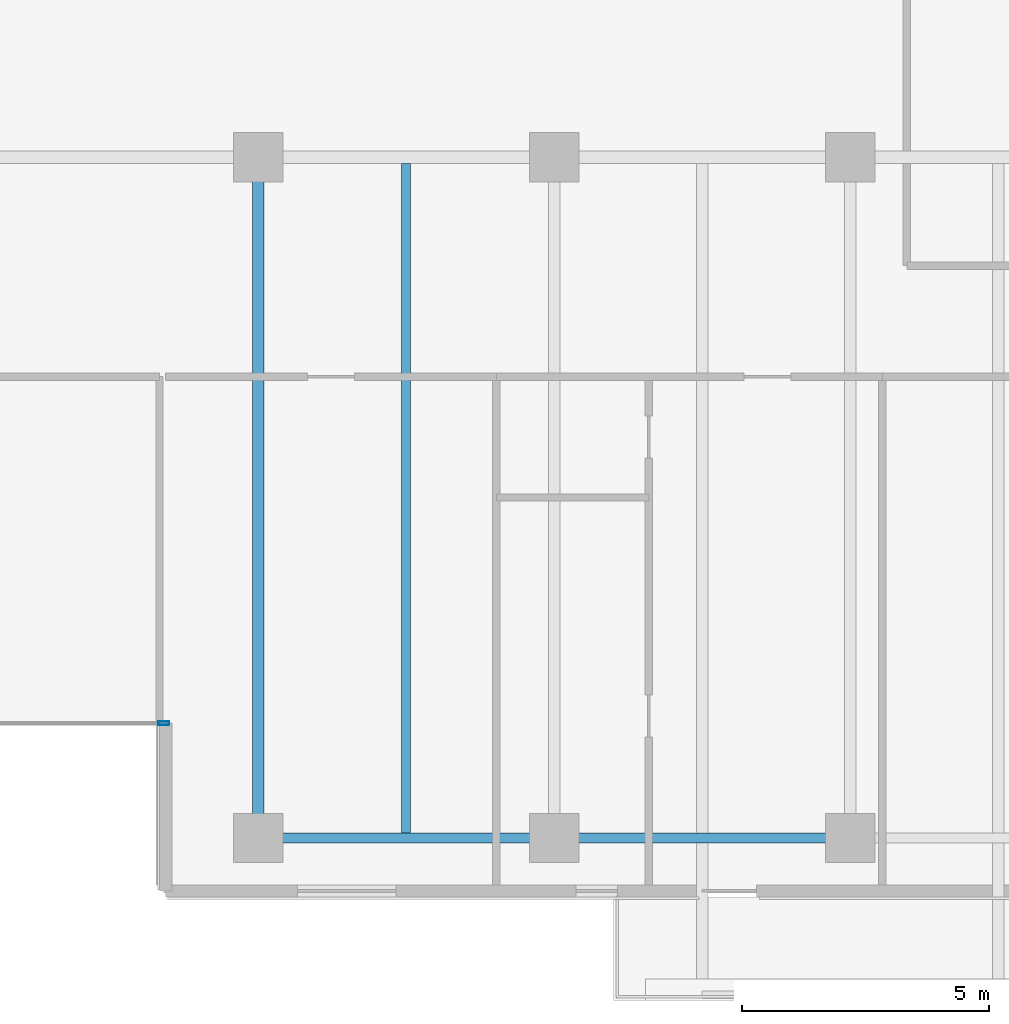
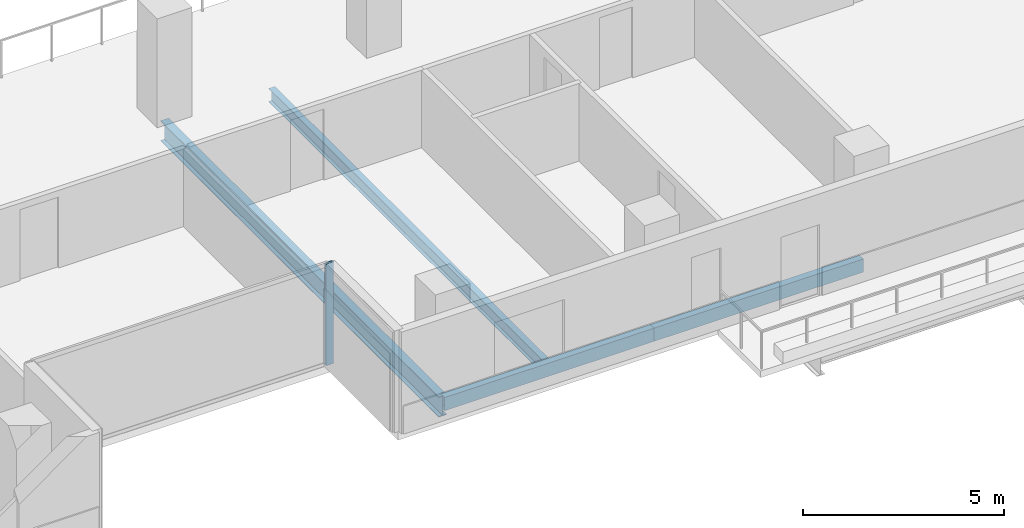
# One storey, part 4 of 23: 4 beams, 1 member, 1 element without a shape of its own.
"""IFC4 building model written with IfcOpenShell, lengths in metres."""

from ifc_helpers import new_model, si_unit, direction, frame, origin, origin_2d, place, context, subcontext, project, spatial, hollow_rectangle, i_section, extrude, material, layer, layer_set, material_profile, profile_set, type_object, element, aggregate, save


model = new_model("IFC4")

# Units and contexts
model_context = context("Model", 3, precision=1e-05, world=origin(), true_north=direction((0.0, 1.0)))
body_context = subcontext(model_context, "Body", "Model", "MODEL_VIEW")
ifc_project = project(units=[si_unit("LENGTHUNIT", "METRE"), si_unit("AREAUNIT", "SQUARE_METRE"), si_unit("VOLUMEUNIT", "CUBIC_METRE"), si_unit("PLANEANGLEUNIT", "RADIAN"), si_unit("MASSUNIT", "GRAM", prefix="KILO")], contexts=[model_context])

# Site, building, storey
site_placement = place(None, origin())
site = spatial("IfcSite", under=ifc_project, at=site_placement, CompositionType="ELEMENT")
building_placement = place(site_placement, origin())
building = spatial("IfcBuilding", under=site, at=building_placement, Name="Tanjung Sevakor Pilgrim Tower", CompositionType="ELEMENT")
storey_placement = place(building_placement, frame((0.0, 0.0, 88.77001953125)))
storey = spatial("IfcBuildingStorey", under=building, at=storey_placement, Name="L24", CompositionType="ELEMENT", Elevation=88.77001953125)

# Beams
ifc_material_1 = material(Name="Steel S355J2", Category="steel")
ifc_material_profile_1 = material_profile(ifc_material_1, i_section(OverallWidth=0.230224609375, OverallDepth=0.6171875, WebThickness=0.01318359375, FlangeThickness=0.022216796875, FilletRadius=0.0126953125, at=origin_2d()))
ifc_profile_set_1 = profile_set([ifc_material_profile_1], Name="Steel S355J2")
beam_type_1 = type_object("IfcBeamType", Name="BM-B-G3-UB_610x229x140", PredefinedType="BEAM", material=ifc_profile_set_1)
beam_1_placement = place(storey_placement, frame((54.0, 10.800048828125, -0.528564453125), z_axis=(0.0, 1.0, 0.0), x_axis=(-1.0, 0.0, 0.0)))
element("IfcBeam", 1, at=beam_1_placement, inside=storey, type_object=beam_type_1, Name="L24 MAIN Girder 012", PredefinedType="BEAM", context=body_context, shape_type="SweptSolid", body=[
    extrude(i_section(OverallWidth=0.230224609375, OverallDepth=0.6171875, WebThickness=0.01318359375, FlangeThickness=0.022216796875, FilletRadius=0.0126953125, at=origin_2d()), origin(), (0.0, 0.0, 1.0), 13.800048828125),
])
ifc_material_2 = material(Name="Steel S355J2", Category="steel")
ifc_material_profile_2 = material_profile(ifc_material_2, i_section(OverallWidth=0.1787109375, OverallDepth=0.409423828125, WebThickness=0.0087890625, FlangeThickness=0.014404296875, FilletRadius=0.01025390625, at=origin_2d()))
ifc_profile_set_2 = profile_set([ifc_material_profile_2], Name="Steel S355J2")
beam_type_2 = type_object("IfcBeamType", Name="BM-B-J3-UB_406x178x67", PredefinedType="JOIST", material=ifc_profile_set_2)
beam_2_placement = place(storey_placement, frame((57.0, 10.89990234375, -0.4248046875), z_axis=(0.0, 1.0, 0.0), x_axis=(-1.0, 0.0, 0.0)))
element("IfcBeam", 2, at=beam_2_placement, inside=storey, type_object=beam_type_2, Name="L24 MAIN Joist 014", PredefinedType="JOIST", context=body_context, shape_type="SweptSolid", body=[
    extrude(i_section(OverallWidth=0.1787109375, OverallDepth=0.409423828125, WebThickness=0.0087890625, FlangeThickness=0.014404296875, FilletRadius=0.01025390625, at=origin_2d()), origin(), (0.0, 0.0, 1.0), 13.57275390625),
])
ifc_material_3 = material(Name="Steel S355J2", Category="steel")
ifc_material_profile_3 = material_profile(ifc_material_3, hollow_rectangle(XDim=0.199951171875, YDim=0.39990234375, WallThickness=0.01611328125, at=origin_2d()))
ifc_profile_set_3 = profile_set([ifc_material_profile_3], Name="Steel S355J2")
beam_type_3 = type_object("IfcBeamType", Name="BM-B-SP2-RHS_400x200x16", PredefinedType="SPANDREL", material=ifc_profile_set_3)
for number, where, z_axis, x_axis, name in (
    (3, (54.0, 10.800048828125, -0.419921875), (1.0, 0.0, 0.0), (0.0, 1.0, 0.0), "L24 Spandrel MAIN S-07"),
    (4, (60.0, 10.800048828125, -0.419921875), (1.0, 0.0, 0.0), (0.0, 1.0, 0.0), "L24 Spandrel MAIN S-09"),
):
    element("IfcBeam", number, at=place(storey_placement, frame(where, z_axis=z_axis, x_axis=x_axis)), inside=storey, type_object=beam_type_3, Name=name, PredefinedType="SPANDREL", context=body_context, shape_type="SweptSolid", body=[
        extrude(hollow_rectangle(XDim=0.199951171875, YDim=0.39990234375, WallThickness=0.01611328125, at=origin_2d()), origin(), (0.0, 0.0, 1.0), 6.0),
    ])

# Curtain wall, member
ifc_material_4 = material(Name="Aluminium 6063-T6 and Low-E Glass", Category="aluminium")
ifc_layer = layer(ifc_material_4, 0.179931640625)
ifc_layer_set = layer_set([ifc_layer], Name="CW-SYS-CLEFT")
curtain_wall_type = type_object("IfcCurtainWallType", Name="CW-SYS-CLEFT", PredefinedType="NOTDEFINED", material=ifc_layer_set)
curtain_wall_placement = place(storey_placement, origin())
curtain_wall = element("IfcCurtainWall", 5, at=curtain_wall_placement, inside=storey, type_object=curtain_wall_type, Name="L24 Curtain Wall CW-CLF-L24-2", PredefinedType="NOTDEFINED")
ifc_material_5 = material(Name="Aluminium 6063-T6", Category="aluminium")
ifc_material_profile_4 = material_profile(ifc_material_5, hollow_rectangle(XDim=0.074951171875, YDim=0.219970703125, WallThickness=0.0048828125, at=origin_2d()))
ifc_profile_set_4 = profile_set([ifc_material_profile_4], Name="Aluminium 6063-T6")
member_type = type_object("IfcMemberType", Name="TYPE-CWM-2", PredefinedType="MULLION", material=ifc_profile_set_4)
member_placement = place(storey_placement, frame((52.08740234375, 13.125, 0.0), z_axis=(0.0, 0.0, 1.0), x_axis=(0.0, 1.0, 0.0)))
member = element("IfcMember", 6, at=member_placement, type_object=member_type, Name="CW-CLF mullion 2", PredefinedType="MULLION", context=body_context, shape_type="SweptSolid", body=[
    extrude(hollow_rectangle(XDim=0.074951171875, YDim=0.219970703125, WallThickness=0.0048828125, at=origin_2d()), origin(), (0.0, 0.0, 1.0), 3.080078125),
])
aggregate(curtain_wall, [member])

save(model, "model.ifc")
